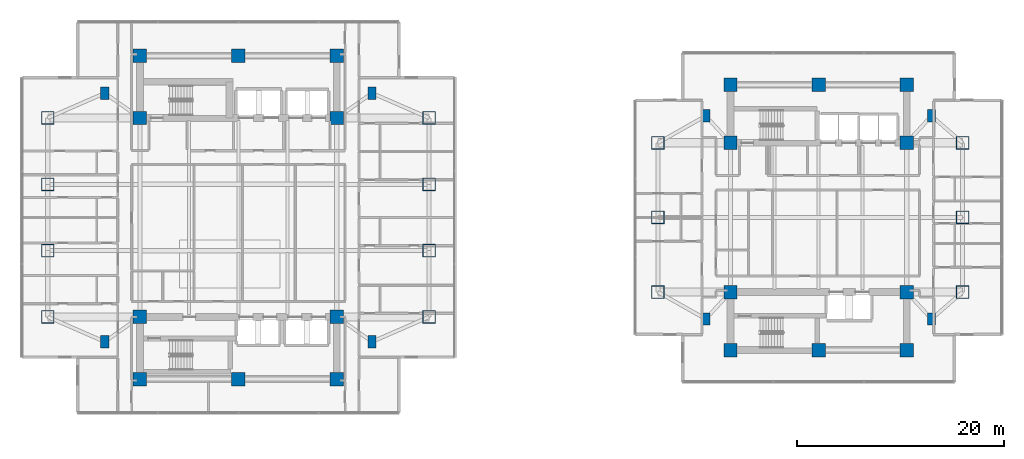
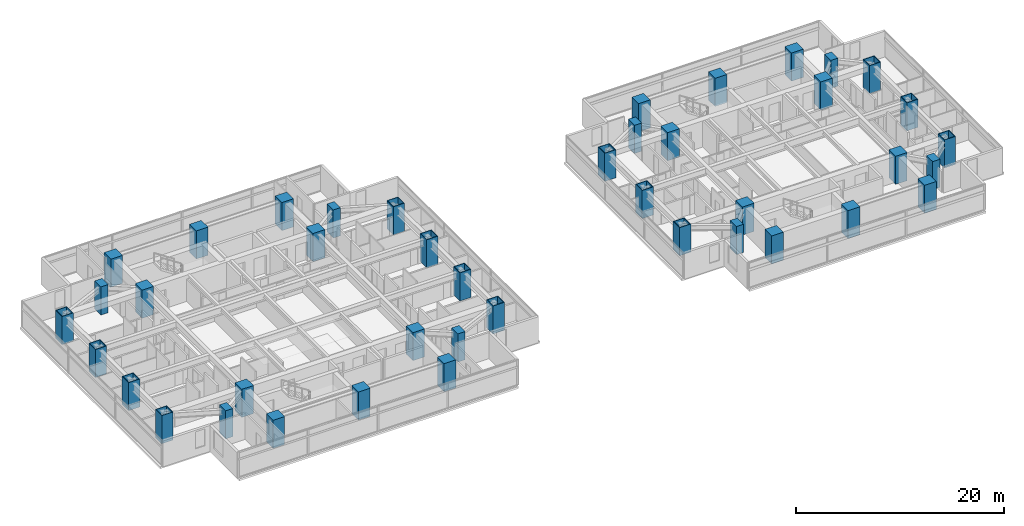
# One storey, part 1 of 27: 42 columns.
"""IFC4 building model written with IfcOpenShell, lengths in metres."""

from ifc_helpers import new_model, si_unit, direction, frame, origin, origin_2d, place, context, subcontext, project, spatial, rectangle, hollow_rectangle, extrude, material, material_profile, profile_set, type_object, element, save


model = new_model("IFC4")

# Units and contexts
model_context = context("Model", 3, precision=1e-05, world=origin(), true_north=direction((0.0, 1.0)))
body_context = subcontext(model_context, "Body", "Model", "MODEL_VIEW")
ifc_project = project(units=[si_unit("LENGTHUNIT", "METRE"), si_unit("AREAUNIT", "SQUARE_METRE"), si_unit("VOLUMEUNIT", "CUBIC_METRE"), si_unit("PLANEANGLEUNIT", "RADIAN"), si_unit("MASSUNIT", "GRAM", prefix="KILO")], contexts=[model_context])

# Site, building, storey
site_placement = place(None, origin())
site = spatial("IfcSite", under=ifc_project, at=site_placement, CompositionType="ELEMENT")
building_placement = place(site_placement, origin())
building = spatial("IfcBuilding", under=site, at=building_placement, Name="Mirazonda Arch Towers", CompositionType="ELEMENT")
storey_placement = place(building_placement, frame((0.0, 0.0, 55.39990234375)))
storey = spatial("IfcBuildingStorey", under=building, at=storey_placement, Name="L15", CompositionType="ELEMENT", Elevation=55.39990234375)

# Columns
ifc_material_1 = material(Name="Concrete C60/75", Category="concrete")
ifc_material_profile_1 = material_profile(ifc_material_1, rectangle(XDim=1.300048828125, YDim=1.300048828125, at=origin_2d()), Name="RC1300x1300")
ifc_profile_set_1 = profile_set([ifc_material_profile_1], Name="Concrete C60/75")
column_type_1 = type_object("IfcColumnType", Name="COL-INT-RC1300x1300", PredefinedType="COLUMN", material=ifc_profile_set_1)
for number, where, z_axis, x_axis, name in (
    (1, (11.0, 12.39990234375, 0.0), (0.0, 0.0, 1.0), (1.0, 0.0, 0.0), "L15 T1 Core Column 01"),
    (2, (20.5, 12.39990234375, 0.0), (0.0, 0.0, 1.0), (1.0, 0.0, 0.0), "L15 T1 Core Column 02"),
    (3, (30.0, 12.39990234375, 0.0), (0.0, 0.0, 1.0), (1.0, 0.0, 0.0), "L15 T1 Core Column 03"),
    (4, (11.0, 18.39990234375, 0.0), (0.0, 0.0, 1.0), (1.0, 0.0, 0.0), "L15 T1 Core Column 04"),
    (5, (30.0, 18.39990234375, 0.0), (0.0, 0.0, 1.0), (1.0, 0.0, 0.0), "L15 T1 Core Column 05"),
    (6, (11.0, 37.60009765625, 0.0), (0.0, 0.0, 1.0), (1.0, 0.0, 0.0), "L15 T1 Core Column 06"),
    (7, (30.0, 37.60009765625, 0.0), (0.0, 0.0, 1.0), (1.0, 0.0, 0.0), "L15 T1 Core Column 07"),
    (8, (11.0, 43.60009765625, 0.0), (0.0, 0.0, 1.0), (1.0, 0.0, 0.0), "L15 T1 Core Column 08"),
    (9, (20.5, 43.60009765625, 0.0), (0.0, 0.0, 1.0), (1.0, 0.0, 0.0), "L15 T1 Core Column 09"),
    (10, (30.0, 43.60009765625, 0.0), (0.0, 0.0, 1.0), (1.0, 0.0, 0.0), "L15 T1 Core Column 10"),
    (11, (68.0, 15.199951171875, 0.0), (0.0, 0.0, 1.0), (1.0, 0.0, 0.0), "L15 T2 Core Column 01"),
    (12, (76.5, 15.199951171875, 0.0), (0.0, 0.0, 1.0), (1.0, 0.0, 0.0), "L15 T2 Core Column 02"),
    (13, (85.0, 15.199951171875, 0.0), (0.0, 0.0, 1.0), (1.0, 0.0, 0.0), "L15 T2 Core Column 03"),
    (14, (68.0, 20.800048828125, 0.0), (0.0, 0.0, 1.0), (1.0, 0.0, 0.0), "L15 T2 Core Column 04"),
    (15, (85.0, 20.800048828125, 0.0), (0.0, 0.0, 1.0), (1.0, 0.0, 0.0), "L15 T2 Core Column 05"),
    (16, (68.0, 35.199951171875, 0.0), (0.0, 0.0, 1.0), (1.0, 0.0, 0.0), "L15 T2 Core Column 06"),
    (17, (85.0, 35.199951171875, 0.0), (0.0, 0.0, 1.0), (1.0, 0.0, 0.0), "L15 T2 Core Column 07"),
    (18, (68.0, 40.800048828125, 0.0), (0.0, 0.0, 1.0), (1.0, 0.0, 0.0), "L15 T2 Core Column 08"),
    (19, (76.5, 40.800048828125, 0.0), (0.0, 0.0, 1.0), (1.0, 0.0, 0.0), "L15 T2 Core Column 09"),
    (20, (85.0, 40.800048828125, 0.0), (0.0, 0.0, 1.0), (1.0, 0.0, 0.0), "L15 T2 Core Column 10"),
):
    element("IfcColumn", number, at=place(storey_placement, frame(where, z_axis=z_axis, x_axis=x_axis)), inside=storey, type_object=column_type_1, Name=name, PredefinedType="COLUMN", context=body_context, shape_type="SweptSolid", body=[
        extrude(rectangle(XDim=1.300048828125, YDim=1.300048828125, at=origin_2d()), origin(), (0.0, 0.0, 1.0), 3.300048828125),
    ])
ifc_material_2 = material(Name="Steel ASTM A572 Grade 50", Category="steel")
ifc_material_profile_2 = material_profile(ifc_material_2, hollow_rectangle(XDim=1.25, YDim=1.25, WallThickness=0.070068359375, at=origin_2d()), Name="BOX1250x1250x70")
ifc_profile_set_2 = profile_set([ifc_material_profile_2], Name="Steel ASTM A572 Grade 50")
column_type_2 = type_object("IfcColumnType", Name="MCOL-EXT-BOX1250x1250x70", PredefinedType="COLUMN", material=ifc_profile_set_2)
for number, where, z_axis, x_axis, name in (
    (21, (2.10009765625, 18.39990234375, 0.0), (0.0, 0.0, 1.0), (1.0, 0.0, 0.0), "L15 T1 Composite Mega-Column 01"),
    (22, (2.10009765625, 24.800048828125, 0.0), (0.0, 0.0, 1.0), (1.0, 0.0, 0.0), "L15 T1 Composite Mega-Column 02"),
    (23, (2.10009765625, 31.199951171875, 0.0), (0.0, 0.0, 1.0), (1.0, 0.0, 0.0), "L15 T1 Composite Mega-Column 03"),
    (24, (2.10009765625, 37.60009765625, 0.0), (0.0, 0.0, 1.0), (1.0, 0.0, 0.0), "L15 T1 Composite Mega-Column 04"),
    (25, (38.89990234375, 18.39990234375, 0.0), (0.0, 0.0, 1.0), (1.0, 0.0, 0.0), "L15 T1 Composite Mega-Column 05"),
    (26, (38.89990234375, 24.800048828125, 0.0), (0.0, 0.0, 1.0), (1.0, 0.0, 0.0), "L15 T1 Composite Mega-Column 06"),
    (27, (38.89990234375, 31.199951171875, 0.0), (0.0, 0.0, 1.0), (1.0, 0.0, 0.0), "L15 T1 Composite Mega-Column 07"),
    (28, (38.89990234375, 37.60009765625, 0.0), (0.0, 0.0, 1.0), (1.0, 0.0, 0.0), "L15 T1 Composite Mega-Column 08"),
    (29, (61.0, 20.800048828125, 0.0), (0.0, 0.0, 1.0), (1.0, 0.0, 0.0), "L15 T2 Composite Mega-Column 01"),
    (30, (61.0, 28.0, 0.0), (0.0, 0.0, 1.0), (1.0, 0.0, 0.0), "L15 T2 Composite Mega-Column 02"),
    (31, (61.0, 35.199951171875, 0.0), (0.0, 0.0, 1.0), (1.0, 0.0, 0.0), "L15 T2 Composite Mega-Column 03"),
    (32, (90.39990234375, 20.800048828125, 0.0), (0.0, 0.0, 1.0), (1.0, 0.0, 0.0), "L15 T2 Composite Mega-Column 04"),
    (33, (90.39990234375, 28.0, 0.0), (0.0, 0.0, 1.0), (1.0, 0.0, 0.0), "L15 T2 Composite Mega-Column 05"),
    (34, (90.39990234375, 35.199951171875, 0.0), (0.0, 0.0, 1.0), (1.0, 0.0, 0.0), "L15 T2 Composite Mega-Column 06"),
):
    element("IfcColumn", number, at=place(storey_placement, frame(where, z_axis=z_axis, x_axis=x_axis)), inside=storey, type_object=column_type_2, Name=name, PredefinedType="COLUMN", context=body_context, shape_type="SweptSolid", body=[
        extrude(hollow_rectangle(XDim=1.25, YDim=1.25, WallThickness=0.070068359375, at=origin_2d()), origin(), (0.0, 0.0, 1.0), 3.300048828125),
    ])
ifc_material_profile_3 = material_profile(ifc_material_1, rectangle(XDim=0.800048828125, YDim=1.199951171875, at=origin_2d()), Name="RC1200x800")
ifc_profile_set_3 = profile_set([ifc_material_profile_3], Name="Concrete C60/75")
column_type_3 = type_object("IfcColumnType", Name="PIL-EXT-RC1200x800", PredefinedType="PILASTER", material=ifc_profile_set_3)
for number, where, z_axis, x_axis, name in (
    (35, (7.60009765625, 16.0, 0.0), (0.0, 0.0, 1.0), (1.0, 0.0, 0.0), "L15 T1 Corner Pilaster 01"),
    (36, (33.39990234375, 16.0, 0.0), (0.0, 0.0, 1.0), (1.0, 0.0, 0.0), "L15 T1 Corner Pilaster 02"),
    (37, (7.60009765625, 40.0, 0.0), (0.0, 0.0, 1.0), (1.0, 0.0, 0.0), "L15 T1 Corner Pilaster 03"),
    (38, (33.39990234375, 40.0, 0.0), (0.0, 0.0, 1.0), (1.0, 0.0, 0.0), "L15 T1 Corner Pilaster 04"),
    (39, (65.60009765625, 18.199951171875, 0.0), (0.0, 0.0, 1.0), (1.0, 0.0, 0.0), "L15 T2 Corner Pilaster 01"),
    (40, (87.39990234375, 18.199951171875, 0.0), (0.0, 0.0, 1.0), (1.0, 0.0, 0.0), "L15 T2 Corner Pilaster 02"),
    (41, (65.60009765625, 37.800048828125, 0.0), (0.0, 0.0, 1.0), (1.0, 0.0, 0.0), "L15 T2 Corner Pilaster 03"),
    (42, (87.39990234375, 37.800048828125, 0.0), (0.0, 0.0, 1.0), (1.0, 0.0, 0.0), "L15 T2 Corner Pilaster 04"),
):
    element("IfcColumn", number, at=place(storey_placement, frame(where, z_axis=z_axis, x_axis=x_axis)), inside=storey, type_object=column_type_3, Name=name, PredefinedType="PILASTER", context=body_context, shape_type="SweptSolid", body=[
        extrude(rectangle(XDim=0.800048828125, YDim=1.199951171875, at=origin_2d()), origin(), (0.0, 0.0, 1.0), 3.300048828125),
    ])

save(model, "model.ifc")
